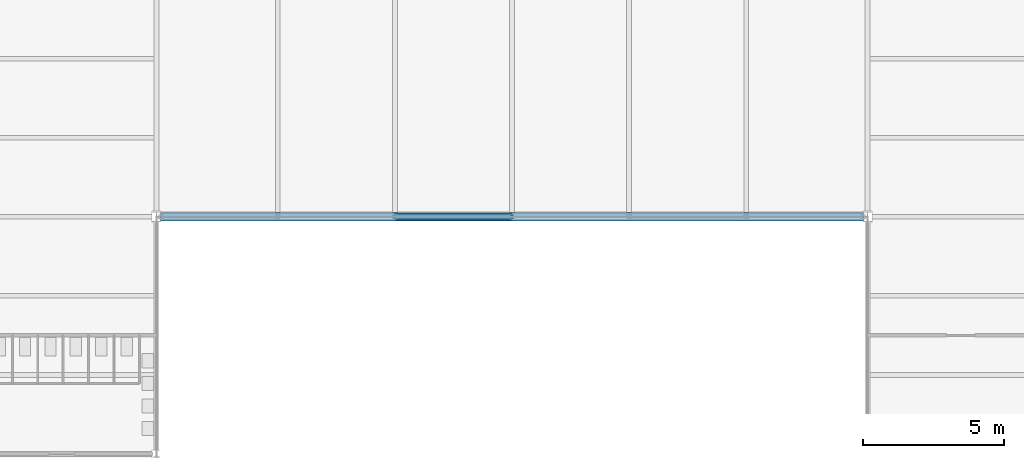
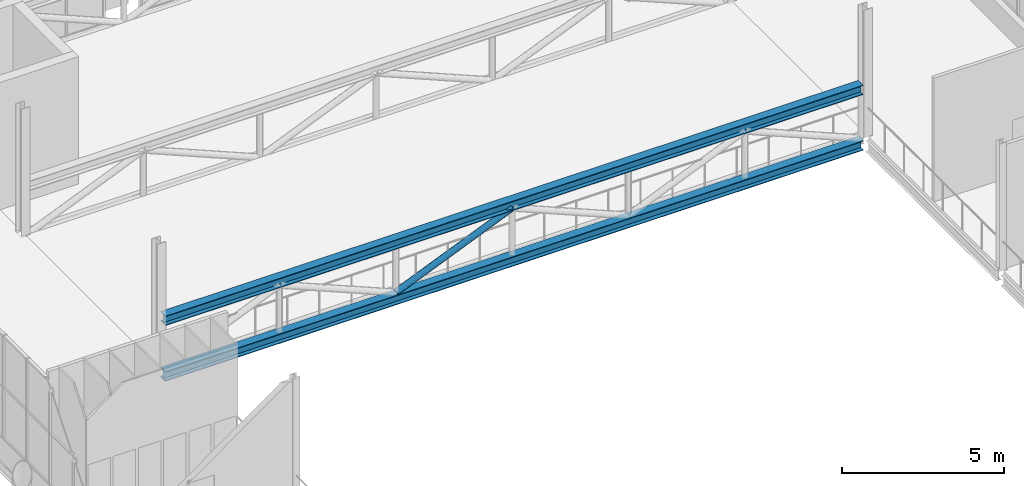
# One storey, part 20 of 76: 2 beams, 1 member.
"""IFC4 building model written with IfcOpenShell, lengths in metres."""

from ifc_helpers import new_model, si_unit, direction, frame, origin, origin_2d, place, context, subcontext, project, spatial, hollow_circle, i_section, extrude, material, material_profile, profile_set, type_object, element, save


model = new_model("IFC4")

# Units and contexts
model_context = context("Model", 3, precision=1e-05, world=origin(), true_north=direction((0.0, 1.0)))
body_context = subcontext(model_context, "Body", "Model", "MODEL_VIEW")
ifc_project = project(units=[si_unit("LENGTHUNIT", "METRE"), si_unit("AREAUNIT", "SQUARE_METRE"), si_unit("VOLUMEUNIT", "CUBIC_METRE"), si_unit("PLANEANGLEUNIT", "RADIAN"), si_unit("MASSUNIT", "GRAM", prefix="KILO")], contexts=[model_context])

# Site, building, storey
site_placement = place(None, origin())
site = spatial("IfcSite", under=ifc_project, at=site_placement, CompositionType="ELEMENT")
building_placement = place(site_placement, origin())
building = spatial("IfcBuilding", under=site, at=building_placement, Name="Sava Quay Ferry Terminal", CompositionType="ELEMENT")
storey_placement = place(building_placement, frame((0.0, 0.0, 6.0)))
storey = spatial("IfcBuildingStorey", under=building, at=storey_placement, Name="L01", CompositionType="ELEMENT", Elevation=6.0)

# Member
ifc_material_1 = material(Name="Steel S355", Category="steel")
ifc_material_profile_1 = material_profile(ifc_material_1, hollow_circle(Radius=0.109619140625, WallThickness=0.010009765625, at=origin_2d()), Name="CHS 219.1 x 10")
ifc_profile_set_1 = profile_set([ifc_material_profile_1], Name="Steel S355")
member_type = type_object("IfcMemberType", Name="Brace CHS 219.1 x 10", PredefinedType="BRACE", material=ifc_profile_set_1)
member_placement = place(storey_placement, frame((58.85009765625, 84.0, -0.1298828125), z_axis=(0.922217474343, 0.0, 0.386671604874), x_axis=(0.0, 1.0, 0.0)))
element("IfcMember", 1, at=member_placement, inside=storey, type_object=member_type, Name="Truss diagonal 84", PredefinedType="BRACE", context=body_context, shape_type="SweptSolid", body=[
    extrude(hollow_circle(Radius=0.109619140625, WallThickness=0.010009765625, at=origin_2d()), origin(), (0.0, 0.0, 1.0), 4.5),
])

# Beams
ifc_material_2 = material(Name="Steel S355", Category="steel")
ifc_material_profile_2 = material_profile(ifc_material_2, i_section(OverallWidth=0.300048828125, OverallDepth=0.360107421875, WebThickness=0.012451171875, FlangeThickness=0.0224609375, at=origin_2d()), Name="HE 360 B")
ifc_profile_set_2 = profile_set([ifc_material_profile_2], Name="Steel S355")
beam_type = type_object("IfcBeamType", Name="Girder HE 360 B", PredefinedType="BEAM", material=ifc_profile_set_2)
for number, where, z_axis, x_axis, name in (
    (2, (50.550048828125, 84.0, -0.31005859375), (1.0, 0.0, 0.0), (0.0, 1.0, 0.0), "Truss bottom chord 84"),
    (3, (50.550048828125, 84.0, 1.7900390625), (1.0, 0.0, 0.0), (0.0, 1.0, 0.0), "Truss top chord 84"),
):
    element("IfcBeam", number, at=place(storey_placement, frame(where, z_axis=z_axis, x_axis=x_axis)), inside=storey, type_object=beam_type, Name=name, PredefinedType="BEAM", context=body_context, shape_type="SweptSolid", body=[
        extrude(i_section(OverallWidth=0.300048828125, OverallDepth=0.360107421875, WebThickness=0.012451171875, FlangeThickness=0.0224609375, at=origin_2d()), origin(), (0.0, 0.0, 1.0), 24.89990234375),
    ])

save(model, "model.ifc")
